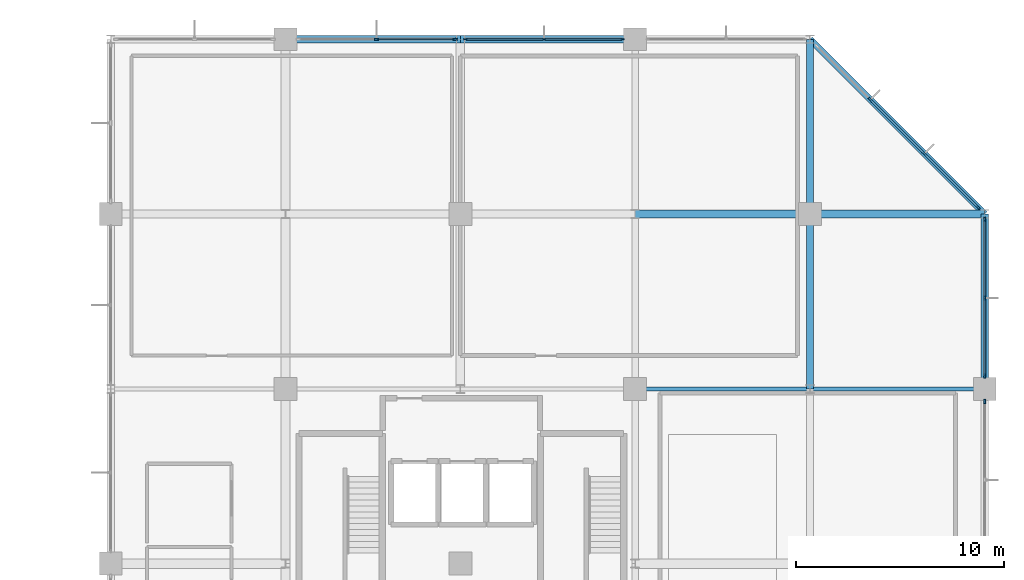
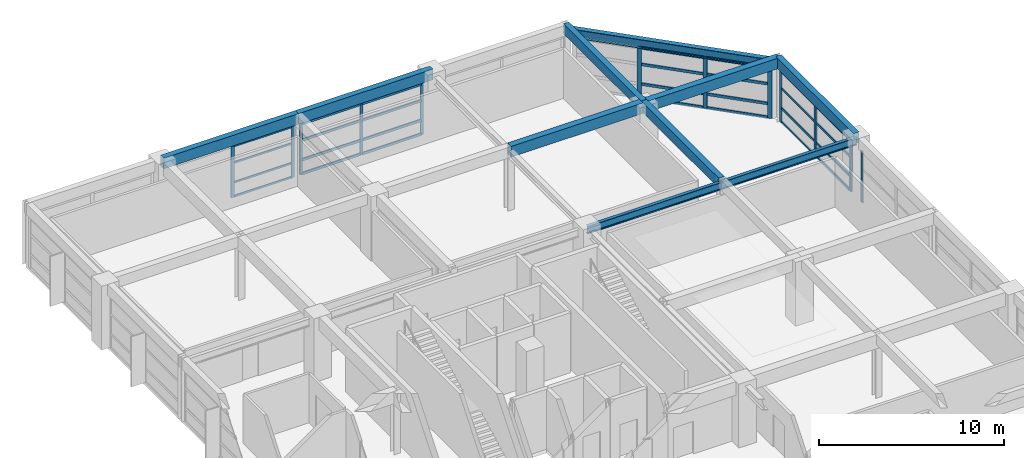
# One storey, part 11 of 19: 40 members, 10 beams, 5 elements without a shape of their own.
"""IFC4 building model written with IfcOpenShell, lengths in metres."""

from ifc_helpers import new_model, si_unit, direction, frame, origin, origin_2d, place, context, subcontext, project, spatial, rectangle, i_section, extrude, material, material_profile, profile_set, type_object, element, aggregate, save


model = new_model("IFC4")

# Units and contexts
model_context = context("Model", 3, precision=1e-05, world=origin(), true_north=direction((0.0, 1.0)))
body_context = subcontext(model_context, "Body", "Model", "MODEL_VIEW")
ifc_project = project(units=[si_unit("LENGTHUNIT", "METRE"), si_unit("AREAUNIT", "SQUARE_METRE"), si_unit("VOLUMEUNIT", "CUBIC_METRE"), si_unit("PLANEANGLEUNIT", "RADIAN"), si_unit("MASSUNIT", "GRAM", prefix="KILO")], contexts=[model_context])

# Site, building, storey
site_placement = place(None, origin())
site = spatial("IfcSite", under=ifc_project, at=site_placement, CompositionType="ELEMENT")
building_placement = place(site_placement, origin())
building = spatial("IfcBuilding", under=site, at=building_placement, Name="Xuanlan Plaza Opera House", CompositionType="ELEMENT")
storey_placement = place(building_placement, frame((0.0, 0.0, 36.300048828125)))
storey = spatial("IfcBuildingStorey", under=building, at=storey_placement, Name="L08", CompositionType="ELEMENT", Elevation=36.300048828125)

# Curtain wall, members
ifc_material_1 = material(Name="Anodised Aluminium 6063-T6 and Low-E Glass", Category="aluminium")
curtain_wall_type_1 = type_object("IfcCurtainWallType", Name="ENV-CW-CW-02", PredefinedType="USERDEFINED", material=ifc_material_1)
curtain_wall_1_placement = place(storey_placement, origin())
curtain_wall_1 = element("IfcCurtainWall", 1, at=curtain_wall_1_placement, inside=storey, type_object=curtain_wall_type_1, Name="Unitised Curtain Wall L08-012", ObjectType="UNITISED CURTAIN WALL", PredefinedType="USERDEFINED")
ifc_material_2 = material(Name="Anodised Aluminium 6063-T6", Category="aluminium")
ifc_material_profile_1 = material_profile(ifc_material_2, rectangle(XDim=0.070068359375, YDim=0.179931640625, at=origin_2d()), Name="ALU-M 70x180")
ifc_profile_set_1 = profile_set([ifc_material_profile_1], Name="Anodised Aluminium 6063-T6")
member_type_1 = type_object("IfcMemberType", Name="ENV-CWM-02", PredefinedType="MULLION", material=ifc_profile_set_1)
member_1_placement = place(storey_placement, frame((150.594970703125, 84.0, 0.0), z_axis=(0.0, 0.0, 1.0), x_axis=(0.0, -1.0, 0.0)))
member_1 = element("IfcMember", 2, at=member_1_placement, type_object=member_type_1, Name="CW-02 mullion 1", PredefinedType="MULLION", context=body_context, shape_type="SweptSolid", body=[
    extrude(rectangle(XDim=0.070068359375, YDim=0.179931640625, at=origin_2d()), origin(), (0.0, 0.0, 1.0), 3.3798828125),
])
member_2_placement = place(storey_placement, frame((146.824951171875, 84.0, 0.0), z_axis=(0.0, 0.0, 1.0), x_axis=(0.0, -1.0, 0.0)))
member_2 = element("IfcMember", 3, at=member_2_placement, type_object=member_type_1, Name="CW-02 mullion 2", PredefinedType="MULLION", context=body_context, shape_type="SweptSolid", body=[
    extrude(rectangle(XDim=0.070068359375, YDim=0.179931640625, at=origin_2d()), origin(), (0.0, 0.0, 1.0), 3.3798828125),
])
member_3_placement = place(storey_placement, frame((143.054931640625, 84.0, 0.0), z_axis=(0.0, 0.0, 1.0), x_axis=(0.0, -1.0, 0.0)))
member_3 = element("IfcMember", 4, at=member_3_placement, type_object=member_type_1, Name="CW-02 mullion 3", PredefinedType="MULLION", context=body_context, shape_type="SweptSolid", body=[
    extrude(rectangle(XDim=0.070068359375, YDim=0.179931640625, at=origin_2d()), origin(), (0.0, 0.0, 1.0), 3.3798828125),
])

# Curtain wall, member
curtain_wall_2_placement = place(storey_placement, origin())
curtain_wall_2 = element("IfcCurtainWall", 5, at=curtain_wall_2_placement, inside=storey, type_object=curtain_wall_type_1, Name="Unitised Curtain Wall L08-008", ObjectType="UNITISED CURTAIN WALL", PredefinedType="USERDEFINED")
ifc_material_profile_2 = material_profile(ifc_material_2, rectangle(XDim=0.074951171875, YDim=0.199951171875, at=origin_2d()), Name="ALU-M 75x200")
ifc_profile_set_2 = profile_set([ifc_material_profile_2], Name="Anodised Aluminium 6063-T6")
member_type_2 = type_object("IfcMemberType", Name="ENV-CWM-03", PredefinedType="MULLION", material=ifc_profile_set_2)
member_4_placement = place(storey_placement, frame((168.0, 66.592529296875, 0.0), z_axis=(0.0, 0.0, 1.0), x_axis=(-1.0, 0.0, 0.0)))
member_4 = element("IfcMember", 6, at=member_4_placement, type_object=member_type_2, Name="CW-02 mullion 3", PredefinedType="MULLION", context=body_context, shape_type="SweptSolid", body=[
    extrude(rectangle(XDim=0.074951171875, YDim=0.199951171875, at=origin_2d()), origin(), (0.0, 0.0, 1.0), 3.3798828125),
])
aggregate(curtain_wall_2, [member_4])

# Curtain wall, members
curtain_wall_type_2 = type_object("IfcCurtainWallType", Name="ENV-CW-CW-03", PredefinedType="USERDEFINED", material=ifc_material_1)
curtain_wall_3_placement = place(storey_placement, origin())
curtain_wall_3 = element("IfcCurtainWall", 7, at=curtain_wall_3_placement, inside=storey, type_object=curtain_wall_type_2, Name="Unitised Curtain Wall L08-013", ObjectType="UNITISED CURTAIN WALL", PredefinedType="USERDEFINED")
member_5_placement = place(storey_placement, frame((142.54248046875, 84.0, 0.0), z_axis=(0.0, 0.0, 1.0), x_axis=(0.0, -1.0, 0.0)))
member_5 = element("IfcMember", 8, at=member_5_placement, type_object=member_type_2, Name="CW-03 mullion 1", PredefinedType="MULLION", context=body_context, shape_type="SweptSolid", body=[
    extrude(rectangle(XDim=0.074951171875, YDim=0.199951171875, at=origin_2d()), origin(), (0.0, 0.0, 1.0), 3.3798828125),
])
member_6_placement = place(storey_placement, frame((138.77490234375, 84.0, 0.0), z_axis=(0.0, 0.0, 1.0), x_axis=(0.0, -1.0, 0.0)))
member_6 = element("IfcMember", 9, at=member_6_placement, type_object=member_type_2, Name="CW-03 mullion 2", PredefinedType="MULLION", context=body_context, shape_type="SweptSolid", body=[
    extrude(rectangle(XDim=0.074951171875, YDim=0.199951171875, at=origin_2d()), origin(), (0.0, 0.0, 1.0), 3.3798828125),
])

curtain_wall_4_placement = place(storey_placement, origin())
curtain_wall_4 = element("IfcCurtainWall", 10, at=curtain_wall_4_placement, inside=storey, type_object=curtain_wall_type_2, Name="Unitised Curtain Wall L08-009", ObjectType="UNITISED CURTAIN WALL", PredefinedType="USERDEFINED")
ifc_material_profile_3 = material_profile(ifc_material_2, rectangle(XDim=0.080078125, YDim=0.219970703125, at=origin_2d()), Name="ALU-M 80x220")
ifc_profile_set_3 = profile_set([ifc_material_profile_3], Name="Anodised Aluminium 6063-T6")
member_type_3 = type_object("IfcMemberType", Name="ENV-CWM-04", PredefinedType="MULLION", material=ifc_profile_set_3)
member_7_placement = place(storey_placement, frame((168.0, 67.81005859375, 0.0), z_axis=(0.0, 0.0, 1.0), x_axis=(-1.0, 0.0, 0.0)))
member_7 = element("IfcMember", 11, at=member_7_placement, type_object=member_type_3, Name="CW-03 mullion 1", PredefinedType="MULLION", context=body_context, shape_type="SweptSolid", body=[
    extrude(rectangle(XDim=0.080078125, YDim=0.219970703125, at=origin_2d()), origin(), (0.0, 0.0, 1.0), 3.3798828125),
])
member_8_placement = place(storey_placement, frame((168.0, 71.574951171875, 0.0), z_axis=(0.0, 0.0, 1.0), x_axis=(-1.0, 0.0, 0.0)))
member_8 = element("IfcMember", 12, at=member_8_placement, type_object=member_type_3, Name="CW-03 mullion 2", PredefinedType="MULLION", context=body_context, shape_type="SweptSolid", body=[
    extrude(rectangle(XDim=0.080078125, YDim=0.219970703125, at=origin_2d()), origin(), (0.0, 0.0, 1.0), 3.3798828125),
])
member_9_placement = place(storey_placement, frame((168.0, 75.340087890625, 0.0), z_axis=(0.0, 0.0, 1.0), x_axis=(-1.0, 0.0, 0.0)))
member_9 = element("IfcMember", 13, at=member_9_placement, type_object=member_type_3, Name="CW-03 mullion 3", PredefinedType="MULLION", context=body_context, shape_type="SweptSolid", body=[
    extrude(rectangle(XDim=0.080078125, YDim=0.219970703125, at=origin_2d()), origin(), (0.0, 0.0, 1.0), 3.3798828125),
])

curtain_wall_type_3 = type_object("IfcCurtainWallType", Name="ENV-CW-CW-04", PredefinedType="USERDEFINED", material=ifc_material_1)
curtain_wall_5_placement = place(storey_placement, origin())
curtain_wall_5 = element("IfcCurtainWall", 14, at=curtain_wall_5_placement, inside=storey, type_object=curtain_wall_type_3, Name="Unitised Curtain Wall L08-010", ObjectType="UNITISED CURTAIN WALL", PredefinedType="USERDEFINED")
ifc_material_profile_4 = material_profile(ifc_material_2, rectangle(XDim=0.090087890625, YDim=0.25, at=origin_2d()), Name="ALU-M 90x250")
ifc_profile_set_4 = profile_set([ifc_material_profile_4], Name="Anodised Aluminium 6063-T6")
member_type_4 = type_object("IfcMemberType", Name="ENV-CWM-05", PredefinedType="MULLION", material=ifc_profile_set_4)
member_10_placement = place(storey_placement, frame((167.669189453125, 75.930908203125, 0.0), z_axis=(0.0, 0.0, 1.0), x_axis=(-0.707106781187, -0.707106781187, 0.0)))
member_10 = element("IfcMember", 15, at=member_10_placement, type_object=member_type_4, Name="CW-04 mullion 1", PredefinedType="MULLION", context=body_context, shape_type="SweptSolid", body=[
    extrude(rectangle(XDim=0.090087890625, YDim=0.25, at=origin_2d()), origin(), (0.0, 0.0, 1.0), 3.3798828125),
])
member_11_placement = place(storey_placement, frame((165.100341796875, 78.499755859375, 0.0), z_axis=(0.0, 0.0, 1.0), x_axis=(-0.707106781187, -0.707106781187, 0.0)))
member_11 = element("IfcMember", 16, at=member_11_placement, type_object=member_type_4, Name="CW-04 mullion 2", PredefinedType="MULLION", context=body_context, shape_type="SweptSolid", body=[
    extrude(rectangle(XDim=0.090087890625, YDim=0.25, at=origin_2d()), origin(), (0.0, 0.0, 1.0), 3.3798828125),
])
member_12_placement = place(storey_placement, frame((162.499755859375, 81.100341796875, 0.0), z_axis=(0.0, 0.0, 1.0), x_axis=(-0.707106781187, -0.707106781187, 0.0)))
member_12 = element("IfcMember", 17, at=member_12_placement, type_object=member_type_4, Name="CW-04 mullion 3", PredefinedType="MULLION", context=body_context, shape_type="SweptSolid", body=[
    extrude(rectangle(XDim=0.090087890625, YDim=0.25, at=origin_2d()), origin(), (0.0, 0.0, 1.0), 3.3798828125),
])

# Member
ifc_material_profile_5 = material_profile(ifc_material_2, rectangle(XDim=0.06494140625, YDim=0.1201171875, at=origin_2d()), Name="ALU-T 65x120")
ifc_profile_set_5 = profile_set([ifc_material_profile_5], Name="Anodised Aluminium 6063-T6")
member_type_5 = type_object("IfcMemberType", Name="ENV-CWT-01", PredefinedType="USERDEFINED", material=ifc_profile_set_5)
member_13_placement = place(storey_placement, frame((142.5048828125, 84.0, 0.032470703125), z_axis=(-1.0, 0.0, 0.0), x_axis=(0.0, -1.0, 0.0)))
member_13 = element("IfcMember", 18, at=member_13_placement, type_object=member_type_5, Name="CW-03 transom 1.1", ObjectType="TRANSOM", PredefinedType="USERDEFINED", context=body_context, shape_type="SweptSolid", body=[
    extrude(rectangle(XDim=0.06494140625, YDim=0.1201171875, at=origin_2d()), origin(), (0.0, 0.0, 1.0), 3.6923828125),
])

member_14_placement = place(storey_placement, frame((142.5048828125, 84.0, 0.949951171875), z_axis=(-1.0, 0.0, 0.0), x_axis=(0.0, -1.0, 0.0)))
member_14 = element("IfcMember", 19, at=member_14_placement, type_object=member_type_5, Name="CW-03 transom 1.2", ObjectType="TRANSOM", PredefinedType="USERDEFINED", context=body_context, shape_type="SweptSolid", body=[
    extrude(rectangle(XDim=0.06494140625, YDim=0.1201171875, at=origin_2d()), origin(), (0.0, 0.0, 1.0), 3.6923828125),
])

member_15_placement = place(storey_placement, frame((142.5048828125, 84.0, 2.25), z_axis=(-1.0, 0.0, 0.0), x_axis=(0.0, -1.0, 0.0)))
member_15 = element("IfcMember", 20, at=member_15_placement, type_object=member_type_5, Name="CW-03 transom 1.3", ObjectType="TRANSOM", PredefinedType="USERDEFINED", context=body_context, shape_type="SweptSolid", body=[
    extrude(rectangle(XDim=0.06494140625, YDim=0.1201171875, at=origin_2d()), origin(), (0.0, 0.0, 1.0), 3.6923828125),
])

member_16_placement = place(storey_placement, frame((142.5048828125, 84.0, 3.347412109375), z_axis=(-1.0, 0.0, 0.0), x_axis=(0.0, -1.0, 0.0)))
member_16 = element("IfcMember", 21, at=member_16_placement, type_object=member_type_5, Name="CW-03 transom 1.4", ObjectType="TRANSOM", PredefinedType="USERDEFINED", context=body_context, shape_type="SweptSolid", body=[
    extrude(rectangle(XDim=0.06494140625, YDim=0.1201171875, at=origin_2d()), origin(), (0.0, 0.0, 1.0), 3.6923828125),
])

aggregate(curtain_wall_3, [member_5, member_6, member_13, member_14, member_15, member_16])

ifc_material_profile_6 = material_profile(ifc_material_2, rectangle(XDim=0.074951171875, YDim=0.14990234375, at=origin_2d()), Name="ALU-T 75x150")
ifc_profile_set_6 = profile_set([ifc_material_profile_6], Name="Anodised Aluminium 6063-T6")
member_type_6 = type_object("IfcMemberType", Name="ENV-CWT-03", PredefinedType="USERDEFINED", material=ifc_profile_set_6)
member_17_placement = place(storey_placement, frame((168.0, 67.85009765625, 0.037353515625), z_axis=(0.0, 1.0, 0.0), x_axis=(-1.0, 0.0, 0.0)))
member_17 = element("IfcMember", 22, at=member_17_placement, type_object=member_type_6, Name="CW-03 transom 1.1", ObjectType="TRANSOM", PredefinedType="USERDEFINED", context=body_context, shape_type="SweptSolid", body=[
    extrude(rectangle(XDim=0.074951171875, YDim=0.14990234375, at=origin_2d()), origin(), (0.0, 0.0, 1.0), 3.684814453125),
])

member_18_placement = place(storey_placement, frame((168.0, 67.85009765625, 0.949951171875), z_axis=(0.0, 1.0, 0.0), x_axis=(-1.0, 0.0, 0.0)))
member_18 = element("IfcMember", 23, at=member_18_placement, type_object=member_type_6, Name="CW-03 transom 1.2", ObjectType="TRANSOM", PredefinedType="USERDEFINED", context=body_context, shape_type="SweptSolid", body=[
    extrude(rectangle(XDim=0.074951171875, YDim=0.14990234375, at=origin_2d()), origin(), (0.0, 0.0, 1.0), 3.684814453125),
])

member_19_placement = place(storey_placement, frame((168.0, 67.85009765625, 2.25), z_axis=(0.0, 1.0, 0.0), x_axis=(-1.0, 0.0, 0.0)))
member_19 = element("IfcMember", 24, at=member_19_placement, type_object=member_type_6, Name="CW-03 transom 1.3", ObjectType="TRANSOM", PredefinedType="USERDEFINED", context=body_context, shape_type="SweptSolid", body=[
    extrude(rectangle(XDim=0.074951171875, YDim=0.14990234375, at=origin_2d()), origin(), (0.0, 0.0, 1.0), 3.684814453125),
])

member_20_placement = place(storey_placement, frame((168.0, 67.85009765625, 3.342529296875), z_axis=(0.0, 1.0, 0.0), x_axis=(-1.0, 0.0, 0.0)))
member_20 = element("IfcMember", 25, at=member_20_placement, type_object=member_type_6, Name="CW-03 transom 1.4", ObjectType="TRANSOM", PredefinedType="USERDEFINED", context=body_context, shape_type="SweptSolid", body=[
    extrude(rectangle(XDim=0.074951171875, YDim=0.14990234375, at=origin_2d()), origin(), (0.0, 0.0, 1.0), 3.684814453125),
])

member_21_placement = place(storey_placement, frame((168.0, 71.614990234375, 0.037353515625), z_axis=(0.0, 1.0, 0.0), x_axis=(-1.0, 0.0, 0.0)))
member_21 = element("IfcMember", 26, at=member_21_placement, type_object=member_type_6, Name="CW-03 transom 2.1", ObjectType="TRANSOM", PredefinedType="USERDEFINED", context=body_context, shape_type="SweptSolid", body=[
    extrude(rectangle(XDim=0.074951171875, YDim=0.14990234375, at=origin_2d()), origin(), (0.0, 0.0, 1.0), 3.68505859375),
])

member_22_placement = place(storey_placement, frame((168.0, 71.614990234375, 0.949951171875), z_axis=(0.0, 1.0, 0.0), x_axis=(-1.0, 0.0, 0.0)))
member_22 = element("IfcMember", 27, at=member_22_placement, type_object=member_type_6, Name="CW-03 transom 2.2", ObjectType="TRANSOM", PredefinedType="USERDEFINED", context=body_context, shape_type="SweptSolid", body=[
    extrude(rectangle(XDim=0.074951171875, YDim=0.14990234375, at=origin_2d()), origin(), (0.0, 0.0, 1.0), 3.68505859375),
])

member_23_placement = place(storey_placement, frame((168.0, 71.614990234375, 2.25), z_axis=(0.0, 1.0, 0.0), x_axis=(-1.0, 0.0, 0.0)))
member_23 = element("IfcMember", 28, at=member_23_placement, type_object=member_type_6, Name="CW-03 transom 2.3", ObjectType="TRANSOM", PredefinedType="USERDEFINED", context=body_context, shape_type="SweptSolid", body=[
    extrude(rectangle(XDim=0.074951171875, YDim=0.14990234375, at=origin_2d()), origin(), (0.0, 0.0, 1.0), 3.68505859375),
])

member_24_placement = place(storey_placement, frame((168.0, 71.614990234375, 3.342529296875), z_axis=(0.0, 1.0, 0.0), x_axis=(-1.0, 0.0, 0.0)))
member_24 = element("IfcMember", 29, at=member_24_placement, type_object=member_type_6, Name="CW-03 transom 2.4", ObjectType="TRANSOM", PredefinedType="USERDEFINED", context=body_context, shape_type="SweptSolid", body=[
    extrude(rectangle(XDim=0.074951171875, YDim=0.14990234375, at=origin_2d()), origin(), (0.0, 0.0, 1.0), 3.68505859375),
])

aggregate(curtain_wall_4, [member_7, member_8, member_9, member_17, member_18, member_19, member_20, member_21, member_22, member_23, member_24])

ifc_material_profile_7 = material_profile(ifc_material_2, rectangle(XDim=0.080078125, YDim=0.1650390625, at=origin_2d()), Name="ALU-T 80x165")
ifc_profile_set_7 = profile_set([ifc_material_profile_7], Name="Anodised Aluminium 6063-T6")
member_type_7 = type_object("IfcMemberType", Name="ENV-CWT-04", PredefinedType="USERDEFINED", material=ifc_profile_set_7)
member_25_placement = place(storey_placement, frame((150.56005859375, 84.0, 0.0400390625), z_axis=(-1.0, 0.0, 0.0), x_axis=(0.0, -1.0, 0.0)))
member_25 = element("IfcMember", 30, at=member_25_placement, type_object=member_type_7, Name="CW-02 transom 1.1", ObjectType="TRANSOM", PredefinedType="USERDEFINED", context=body_context, shape_type="SweptSolid", body=[
    extrude(rectangle(XDim=0.080078125, YDim=0.1650390625, at=origin_2d()), origin(), (0.0, 0.0, 1.0), 3.699951171875),
])

member_26_placement = place(storey_placement, frame((150.56005859375, 84.0, 0.949951171875), z_axis=(-1.0, 0.0, 0.0), x_axis=(0.0, -1.0, 0.0)))
member_26 = element("IfcMember", 31, at=member_26_placement, type_object=member_type_7, Name="CW-02 transom 1.2", ObjectType="TRANSOM", PredefinedType="USERDEFINED", context=body_context, shape_type="SweptSolid", body=[
    extrude(rectangle(XDim=0.080078125, YDim=0.1650390625, at=origin_2d()), origin(), (0.0, 0.0, 1.0), 3.699951171875),
])

member_27_placement = place(storey_placement, frame((150.56005859375, 84.0, 2.25), z_axis=(-1.0, 0.0, 0.0), x_axis=(0.0, -1.0, 0.0)))
member_27 = element("IfcMember", 32, at=member_27_placement, type_object=member_type_7, Name="CW-02 transom 1.3", ObjectType="TRANSOM", PredefinedType="USERDEFINED", context=body_context, shape_type="SweptSolid", body=[
    extrude(rectangle(XDim=0.080078125, YDim=0.1650390625, at=origin_2d()), origin(), (0.0, 0.0, 1.0), 3.699951171875),
])

member_28_placement = place(storey_placement, frame((150.56005859375, 84.0, 3.33984375), z_axis=(-1.0, 0.0, 0.0), x_axis=(0.0, -1.0, 0.0)))
member_28 = element("IfcMember", 33, at=member_28_placement, type_object=member_type_7, Name="CW-02 transom 1.4", ObjectType="TRANSOM", PredefinedType="USERDEFINED", context=body_context, shape_type="SweptSolid", body=[
    extrude(rectangle(XDim=0.080078125, YDim=0.1650390625, at=origin_2d()), origin(), (0.0, 0.0, 1.0), 3.699951171875),
])

member_29_placement = place(storey_placement, frame((146.7900390625, 84.0, 0.0400390625), z_axis=(-1.0, 0.0, 0.0), x_axis=(0.0, -1.0, 0.0)))
member_29 = element("IfcMember", 34, at=member_29_placement, type_object=member_type_7, Name="CW-02 transom 2.1", ObjectType="TRANSOM", PredefinedType="USERDEFINED", context=body_context, shape_type="SweptSolid", body=[
    extrude(rectangle(XDim=0.080078125, YDim=0.1650390625, at=origin_2d()), origin(), (0.0, 0.0, 1.0), 3.699951171875),
])

member_30_placement = place(storey_placement, frame((146.7900390625, 84.0, 0.949951171875), z_axis=(-1.0, 0.0, 0.0), x_axis=(0.0, -1.0, 0.0)))
member_30 = element("IfcMember", 35, at=member_30_placement, type_object=member_type_7, Name="CW-02 transom 2.2", ObjectType="TRANSOM", PredefinedType="USERDEFINED", context=body_context, shape_type="SweptSolid", body=[
    extrude(rectangle(XDim=0.080078125, YDim=0.1650390625, at=origin_2d()), origin(), (0.0, 0.0, 1.0), 3.699951171875),
])

member_31_placement = place(storey_placement, frame((146.7900390625, 84.0, 2.25), z_axis=(-1.0, 0.0, 0.0), x_axis=(0.0, -1.0, 0.0)))
member_31 = element("IfcMember", 36, at=member_31_placement, type_object=member_type_7, Name="CW-02 transom 2.3", ObjectType="TRANSOM", PredefinedType="USERDEFINED", context=body_context, shape_type="SweptSolid", body=[
    extrude(rectangle(XDim=0.080078125, YDim=0.1650390625, at=origin_2d()), origin(), (0.0, 0.0, 1.0), 3.699951171875),
])

member_32_placement = place(storey_placement, frame((146.7900390625, 84.0, 3.33984375), z_axis=(-1.0, 0.0, 0.0), x_axis=(0.0, -1.0, 0.0)))
member_32 = element("IfcMember", 37, at=member_32_placement, type_object=member_type_7, Name="CW-02 transom 2.4", ObjectType="TRANSOM", PredefinedType="USERDEFINED", context=body_context, shape_type="SweptSolid", body=[
    extrude(rectangle(XDim=0.080078125, YDim=0.1650390625, at=origin_2d()), origin(), (0.0, 0.0, 1.0), 3.699951171875),
])

aggregate(curtain_wall_1, [member_1, member_2, member_3, member_25, member_26, member_27, member_28, member_29, member_30, member_31, member_32])

ifc_material_profile_8 = material_profile(ifc_material_2, rectangle(XDim=0.090087890625, YDim=0.179931640625, at=origin_2d()), Name="ALU-T 90x180")
ifc_profile_set_8 = profile_set([ifc_material_profile_8], Name="Anodised Aluminium 6063-T6")
member_type_8 = type_object("IfcMemberType", Name="ENV-CWT-05", PredefinedType="USERDEFINED", material=ifc_profile_set_8)
member_33_placement = place(storey_placement, frame((167.637451171875, 75.962646484375, 0.044921875), z_axis=(-0.707141234705, 0.70707232599, 0.0), x_axis=(-0.70707232599, -0.707141234705, 0.0)))
member_33 = element("IfcMember", 38, at=member_33_placement, type_object=member_type_8, Name="CW-04 transom 1.1", ObjectType="TRANSOM", PredefinedType="USERDEFINED", context=body_context, shape_type="SweptSolid", body=[
    extrude(rectangle(XDim=0.090087890625, YDim=0.179931640625, at=origin_2d()), origin(), (0.0, 0.0, 1.0), 3.54296875),
])

member_34_placement = place(storey_placement, frame((167.637451171875, 75.962646484375, 0.949951171875), z_axis=(-0.707141234705, 0.70707232599, 0.0), x_axis=(-0.70707232599, -0.707141234705, 0.0)))
member_34 = element("IfcMember", 39, at=member_34_placement, type_object=member_type_8, Name="CW-04 transom 1.2", ObjectType="TRANSOM", PredefinedType="USERDEFINED", context=body_context, shape_type="SweptSolid", body=[
    extrude(rectangle(XDim=0.090087890625, YDim=0.179931640625, at=origin_2d()), origin(), (0.0, 0.0, 1.0), 3.54296875),
])

member_35_placement = place(storey_placement, frame((167.637451171875, 75.962646484375, 2.25), z_axis=(-0.707141234705, 0.70707232599, 0.0), x_axis=(-0.70707232599, -0.707141234705, 0.0)))
member_35 = element("IfcMember", 40, at=member_35_placement, type_object=member_type_8, Name="CW-04 transom 1.3", ObjectType="TRANSOM", PredefinedType="USERDEFINED", context=body_context, shape_type="SweptSolid", body=[
    extrude(rectangle(XDim=0.090087890625, YDim=0.179931640625, at=origin_2d()), origin(), (0.0, 0.0, 1.0), 3.54296875),
])

member_36_placement = place(storey_placement, frame((167.637451171875, 75.962646484375, 3.3349609375), z_axis=(-0.707141234705, 0.70707232599, 0.0), x_axis=(-0.70707232599, -0.707141234705, 0.0)))
member_36 = element("IfcMember", 41, at=member_36_placement, type_object=member_type_8, Name="CW-04 transom 1.4", ObjectType="TRANSOM", PredefinedType="USERDEFINED", context=body_context, shape_type="SweptSolid", body=[
    extrude(rectangle(XDim=0.090087890625, YDim=0.179931640625, at=origin_2d()), origin(), (0.0, 0.0, 1.0), 3.54296875),
])

member_37_placement = place(storey_placement, frame((165.068603515625, 78.531494140625, 0.044921875), z_axis=(-0.707106781187, 0.707106781187, 0.0), x_axis=(-0.707106781187, -0.707106781187, 0.0)))
member_37 = element("IfcMember", 42, at=member_37_placement, type_object=member_type_8, Name="CW-04 transom 2.1", ObjectType="TRANSOM", PredefinedType="USERDEFINED", context=body_context, shape_type="SweptSolid", body=[
    extrude(rectangle(XDim=0.090087890625, YDim=0.179931640625, at=origin_2d()), origin(), (0.0, 0.0, 1.0), 3.588134765625),
])

member_38_placement = place(storey_placement, frame((165.068603515625, 78.531494140625, 0.949951171875), z_axis=(-0.707106781187, 0.707106781187, 0.0), x_axis=(-0.707106781187, -0.707106781187, 0.0)))
member_38 = element("IfcMember", 43, at=member_38_placement, type_object=member_type_8, Name="CW-04 transom 2.2", ObjectType="TRANSOM", PredefinedType="USERDEFINED", context=body_context, shape_type="SweptSolid", body=[
    extrude(rectangle(XDim=0.090087890625, YDim=0.179931640625, at=origin_2d()), origin(), (0.0, 0.0, 1.0), 3.588134765625),
])

member_39_placement = place(storey_placement, frame((165.068603515625, 78.531494140625, 2.25), z_axis=(-0.707106781187, 0.707106781187, 0.0), x_axis=(-0.707106781187, -0.707106781187, 0.0)))
member_39 = element("IfcMember", 44, at=member_39_placement, type_object=member_type_8, Name="CW-04 transom 2.3", ObjectType="TRANSOM", PredefinedType="USERDEFINED", context=body_context, shape_type="SweptSolid", body=[
    extrude(rectangle(XDim=0.090087890625, YDim=0.179931640625, at=origin_2d()), origin(), (0.0, 0.0, 1.0), 3.588134765625),
])

member_40_placement = place(storey_placement, frame((165.068603515625, 78.531494140625, 3.3349609375), z_axis=(-0.707106781187, 0.707106781187, 0.0), x_axis=(-0.707106781187, -0.707106781187, 0.0)))
member_40 = element("IfcMember", 45, at=member_40_placement, type_object=member_type_8, Name="CW-04 transom 2.4", ObjectType="TRANSOM", PredefinedType="USERDEFINED", context=body_context, shape_type="SweptSolid", body=[
    extrude(rectangle(XDim=0.090087890625, YDim=0.179931640625, at=origin_2d()), origin(), (0.0, 0.0, 1.0), 3.588134765625),
])

aggregate(curtain_wall_5, [member_10, member_11, member_12, member_33, member_34, member_35, member_36, member_37, member_38, member_39, member_40])

# Beams
ifc_material_3 = material(Name="Concrete C40", Category="concrete")
ifc_material_profile_9 = material_profile(ifc_material_3, rectangle(XDim=0.39990234375, YDim=0.699951171875, at=origin_2d()), Name="RC-BM 400x700")
ifc_profile_set_9 = profile_set([ifc_material_profile_9], Name="Concrete C40")
beam_type_1 = type_object("IfcBeamType", Name="STR-BM-B-07", PredefinedType="BEAM", material=ifc_profile_set_9)
beam_1_placement = place(storey_placement, frame((151.199951171875, 75.60009765625, 3.849853515625), z_axis=(1.0, 0.0, 0.0), x_axis=(0.0, 1.0, 0.0)))
element("IfcBeam", 46, at=beam_1_placement, inside=storey, type_object=beam_type_1, Name="Grid Beam X L08 19-20/J", PredefinedType="BEAM", context=body_context, shape_type="SweptSolid", body=[
    extrude(rectangle(XDim=0.39990234375, YDim=0.699951171875, at=origin_2d()), origin(), (0.0, 0.0, 1.0), 8.400146484375),
])
beam_2_placement = place(storey_placement, frame((159.60009765625, 75.60009765625, 3.849853515625), z_axis=(1.0, 0.0, 0.0), x_axis=(0.0, 1.0, 0.0)))
element("IfcBeam", 47, at=beam_2_placement, inside=storey, type_object=beam_type_1, Name="Grid Beam X L08 20-21/J", PredefinedType="BEAM", context=body_context, shape_type="SweptSolid", body=[
    extrude(rectangle(XDim=0.39990234375, YDim=0.699951171875, at=origin_2d()), origin(), (0.0, 0.0, 1.0), 8.39990234375),
])
ifc_material_profile_10 = material_profile(ifc_material_3, rectangle(XDim=0.35009765625, YDim=0.64990234375, at=origin_2d()), Name="RC-BM 350x650")
ifc_profile_set_10 = profile_set([ifc_material_profile_10], Name="Concrete C40")
beam_type_2 = type_object("IfcBeamType", Name="STR-BM-B-08", PredefinedType="BEAM", material=ifc_profile_set_10)
beam_3_placement = place(storey_placement, frame((159.60009765625, 67.199951171875, 3.875), z_axis=(0.0, 1.0, 0.0), x_axis=(-1.0, 0.0, 0.0)))
element("IfcBeam", 48, at=beam_3_placement, inside=storey, type_object=beam_type_2, Name="Grid Beam Y L08 20/I-J", PredefinedType="BEAM", context=body_context, shape_type="SweptSolid", body=[
    extrude(rectangle(XDim=0.35009765625, YDim=0.64990234375, at=origin_2d()), origin(), (0.0, 0.0, 1.0), 8.400146484375),
])
beam_4_placement = place(storey_placement, frame((159.60009765625, 75.60009765625, 3.875), z_axis=(0.0, 1.0, 0.0), x_axis=(-1.0, 0.0, 0.0)))
element("IfcBeam", 49, at=beam_4_placement, inside=storey, type_object=beam_type_2, Name="Grid Beam Y L08 20/J-K", PredefinedType="BEAM", context=body_context, shape_type="SweptSolid", body=[
    extrude(rectangle(XDim=0.35009765625, YDim=0.64990234375, at=origin_2d()), origin(), (0.0, 0.0, 1.0), 8.39990234375),
])
ifc_material_4 = material(Name="Steel Q355B", Category="steel")
ifc_material_profile_11 = material_profile(ifc_material_4, i_section(OverallWidth=0.199951171875, OverallDepth=0.5, WebThickness=0.010009765625, FlangeThickness=0.01611328125, FilletRadius=0.02001953125, at=origin_2d()), Name="HN 500x200x10x16")
ifc_profile_set_11 = profile_set([ifc_material_profile_11], Name="Steel Q355B")
beam_type_3 = type_object("IfcBeamType", Name="STR-BM-SB-05", PredefinedType="BEAM", material=ifc_profile_set_11)
beam_5_placement = place(storey_placement, frame((151.199951171875, 67.199951171875, 3.704833984375), z_axis=(1.0, 0.0, 0.0), x_axis=(0.0, 1.0, 0.0)))
element("IfcBeam", 50, at=beam_5_placement, inside=storey, type_object=beam_type_3, Name="Grid Beam X L08 19-20/I", PredefinedType="BEAM", context=body_context, shape_type="SweptSolid", body=[
    extrude(i_section(OverallWidth=0.199951171875, OverallDepth=0.5, WebThickness=0.010009765625, FlangeThickness=0.01611328125, FilletRadius=0.02001953125, at=origin_2d()), origin(), (0.0, 0.0, 1.0), 8.400146484375),
])
beam_6_placement = place(storey_placement, frame((159.60009765625, 67.199951171875, 3.704833984375), z_axis=(1.0, 0.0, 0.0), x_axis=(0.0, 1.0, 0.0)))
element("IfcBeam", 51, at=beam_6_placement, inside=storey, type_object=beam_type_3, Name="Grid Beam X L08 20-21/I", PredefinedType="BEAM", context=body_context, shape_type="SweptSolid", body=[
    extrude(i_section(OverallWidth=0.199951171875, OverallDepth=0.5, WebThickness=0.010009765625, FlangeThickness=0.01611328125, FilletRadius=0.02001953125, at=origin_2d()), origin(), (0.0, 0.0, 1.0), 8.39990234375),
])
ifc_material_profile_12 = material_profile(ifc_material_3, rectangle(XDim=0.35009765625, YDim=0.699951171875, at=origin_2d()), Name="RC-SPD 350x700")
ifc_profile_set_12 = profile_set([ifc_material_profile_12], Name="Concrete C40")
beam_type_4 = type_object("IfcBeamType", Name="STR-BM-SP-02", PredefinedType="SPANDREL", material=ifc_profile_set_12)
beam_7_placement = place(storey_placement, frame((134.39990234375, 84.0, 3.849853515625), z_axis=(1.0, 0.0, 0.0), x_axis=(0.0, 1.0, 0.0)))
element("IfcBeam", 52, at=beam_7_placement, inside=storey, type_object=beam_type_4, Name="Grid Beam X L08 17-18/K", PredefinedType="SPANDREL", context=body_context, shape_type="SweptSolid", body=[
    extrude(rectangle(XDim=0.35009765625, YDim=0.699951171875, at=origin_2d()), origin(), (0.0, 0.0, 1.0), 8.400146484375),
])
beam_8_placement = place(storey_placement, frame((142.800048828125, 84.0, 3.849853515625), z_axis=(1.0, 0.0, 0.0), x_axis=(0.0, 1.0, 0.0)))
element("IfcBeam", 53, at=beam_8_placement, inside=storey, type_object=beam_type_4, Name="Grid Beam X L08 18-19/K", PredefinedType="SPANDREL", context=body_context, shape_type="SweptSolid", body=[
    extrude(rectangle(XDim=0.35009765625, YDim=0.699951171875, at=origin_2d()), origin(), (0.0, 0.0, 1.0), 8.39990234375),
])
beam_9_placement = place(storey_placement, frame((168.0, 67.199951171875, 3.849853515625), z_axis=(0.0, 1.0, 0.0), x_axis=(-1.0, 0.0, 0.0)))
element("IfcBeam", 54, at=beam_9_placement, inside=storey, type_object=beam_type_4, Name="Grid Beam Y L08 21/I-J", PredefinedType="SPANDREL", context=body_context, shape_type="SweptSolid", body=[
    extrude(rectangle(XDim=0.35009765625, YDim=0.699951171875, at=origin_2d()), origin(), (0.0, 0.0, 1.0), 8.400146484375),
])
ifc_material_profile_13 = material_profile(ifc_material_4, i_section(OverallWidth=0.300048828125, OverallDepth=0.587890625, WebThickness=0.011962890625, FlangeThickness=0.02001953125, FilletRadius=0.02392578125, at=origin_2d()), Name="HM 588x300x12x20")
ifc_profile_set_13 = profile_set([ifc_material_profile_13], Name="Steel Q355B")
beam_type_5 = type_object("IfcBeamType", Name="STR-BM-SP-03", PredefinedType="SPANDREL", material=ifc_profile_set_13)
beam_10_placement = place(storey_placement, frame((168.0, 75.60009765625, 3.660888671875), z_axis=(-0.707106781187, 0.707106781187, 0.0), x_axis=(-0.707106781187, -0.707106781187, 0.0)))
element("IfcBeam", 55, at=beam_10_placement, inside=storey, type_object=beam_type_5, Name="Faceted Edge Spandrel L08 CH03", PredefinedType="SPANDREL", context=body_context, shape_type="SweptSolid", body=[
    extrude(i_section(OverallWidth=0.300048828125, OverallDepth=0.587890625, WebThickness=0.011962890625, FlangeThickness=0.02001953125, FilletRadius=0.02392578125, at=origin_2d()), origin(), (0.0, 0.0, 1.0), 11.879150390625),
])

save(model, "model.ifc")
